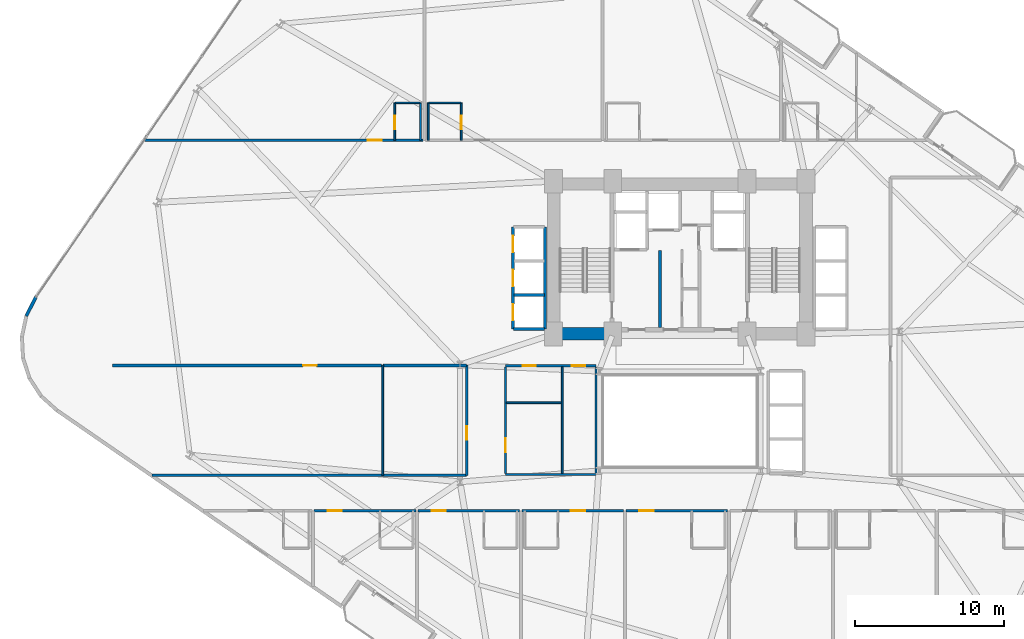
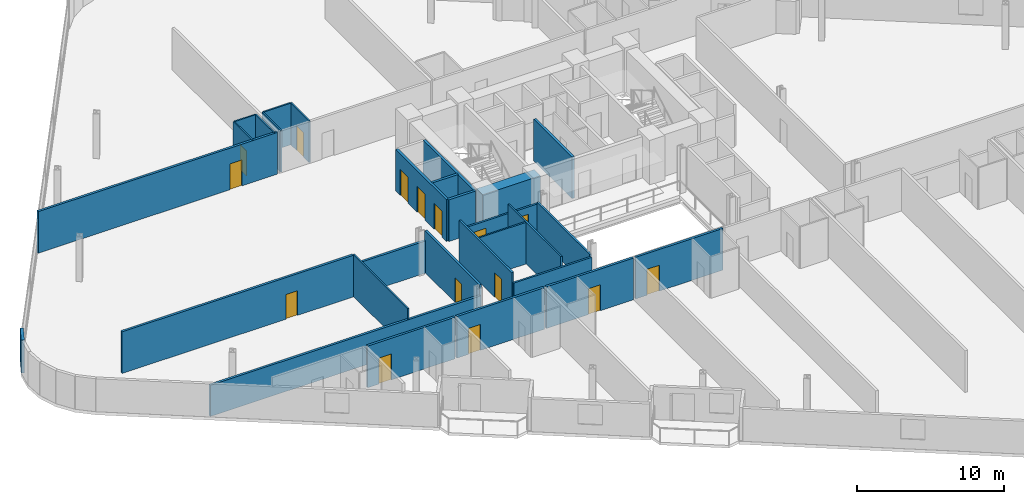
# One storey, part 18 of 25: 29 walls, 15 doors, 15 openings.
"""IFC4 building model written with IfcOpenShell, lengths in metres."""

from ifc_helpers import new_model, si_unit, direction, frame, frame_2d, origin, place, context, subcontext, project, spatial, rectangle, extrude, material, layer, layer_set, type_object, element, fill, save


model = new_model("IFC4")

# Units and contexts
model_context = context("Model", 3, precision=1e-05, world=origin(), true_north=direction((0.0, 1.0)))
body_context = subcontext(model_context, "Body", "Model", "MODEL_VIEW")
ifc_project = project(units=[si_unit("LENGTHUNIT", "METRE"), si_unit("AREAUNIT", "SQUARE_METRE"), si_unit("VOLUMEUNIT", "CUBIC_METRE"), si_unit("PLANEANGLEUNIT", "RADIAN"), si_unit("MASSUNIT", "GRAM", prefix="KILO")], contexts=[model_context])

# Site, building, storey
site_placement = place(None, origin())
site = spatial("IfcSite", under=ifc_project, at=site_placement, CompositionType="ELEMENT")
building_placement = place(site_placement, origin())
building = spatial("IfcBuilding", under=site, at=building_placement, Name="Varnelok Gate Tower", CompositionType="ELEMENT")
storey_placement = place(building_placement, frame((0.0, 0.0, 56.60009765625)))
storey = spatial("IfcBuildingStorey", under=building, at=storey_placement, Name="L13", CompositionType="ELEMENT", Elevation=56.60009765625)

# Wall
ifc_material_1 = material(Name="Concrete C45/55", Category="concrete")
ifc_layer_1 = layer(ifc_material_1, 0.219970703125)
ifc_layer_set_1 = layer_set([ifc_layer_1], Name="Concrete C45/55")
wall_type_1 = type_object("IfcWallType", Name="EW-BALC-220", PredefinedType="SOLIDWALL", material=ifc_layer_set_1)
wall_1_placement = place(storey_placement, frame((-4.158203125, 31.24462890625, 0.0), z_axis=(0.0, 0.0, 1.0), x_axis=(-0.454777156549, -0.890605264908, 0.0)))
element("IfcWall", 1, at=wall_1_placement, inside=storey, type_object=wall_type_1, Name="L13 Perimeter Facade Closure Wall 1", PredefinedType="SOLIDWALL", context=body_context, shape_type="SweptSolid", body=[
    extrude(rectangle(XDim=1.43017578125, YDim=0.219970703125, at=frame_2d((0.715087890625, 0.0))), origin(), (0.0, 0.0, 1.0), 2.72998046875),
])

# Wall, opening, door
ifc_material_2 = material(Name="Gypsum Plasterboard Acoustic Partition", Category="gypsum")
ifc_layer_2 = layer(ifc_material_2, 0.179931640625)
ifc_layer_set_2 = layer_set([ifc_layer_2], Name="Gypsum Plasterboard Acoustic Partition")
wall_type_2 = type_object("IfcWallType", Name="PW-CORR-180", PredefinedType="PARTITIONING", material=ifc_layer_set_2)
wall_2_placement = place(storey_placement, frame((14.580078125, 16.85009765625, 0.0), z_axis=(0.0, 0.0, 1.0), x_axis=(1.0, 0.0, 0.0)))
wall_2 = element("IfcWall", 2, at=wall_2_placement, inside=storey, type_object=wall_type_2, Name="Interior Partition", PredefinedType="PARTITIONING", context=body_context, shape_type="SweptSolid", body=[
    extrude(rectangle(XDim=6.83984375, YDim=0.179931640625, at=frame_2d((3.419921875, 0.0))), origin(), (0.0, 0.0, 1.0), 3.449951171875),
])
opening_1_placement = place(wall_2_placement, frame((0.89990234375, 0.0, 0.0)))
opening_1 = element("IfcOpeningElement", 3, at=opening_1_placement, cuts=wall_2, Name="Opening D-HT", PredefinedType="OPENING", context=body_context, shape_type="SweptSolid", body=[
    extrude(rectangle(XDim=0.949951171875, YDim=2.14990234375, at=frame_2d((0.47509765625, 1.074951171875))), frame((0.0, 0.099853515625, 0.0), z_axis=(0.0, -1.0, 0.0), x_axis=(1.0, 0.0, 0.0)), (0.0, 0.0, 1.0), 0.199951171875),
])
ifc_material_3 = material(Name="Engineered Hardwood Timber", Category="wood")
door_type_1 = type_object("IfcDoorType", Name="DR-HTL-950", OperationType="NOTDEFINED", PredefinedType="DOOR", material=ifc_material_3)
door_1_placement = place(opening_1_placement, origin())
door_1 = element("IfcDoor", 4, at=door_1_placement, inside=storey, type_object=door_type_1, Name="L13 Guest Room 02 Entrance Door", OperationType="SINGLE_SWING_LEFT", OverallHeight=2.14990234375, OverallWidth=0.949951171875, PredefinedType="DOOR", context=body_context, shape_type="SweptSolid", body=[
    extrude(rectangle(XDim=0.949951171875, YDim=2.14990234375, at=frame_2d((0.47509765625, 1.074951171875))), frame((0.0, 0.02490234375, 0.0), z_axis=(0.0, -1.0, 0.0), x_axis=(1.0, 0.0, 0.0)), (0.0, 0.0, 1.0), 0.050048828125),
])
fill(opening_1, door_1)

wall_3_placement = place(storey_placement, frame((21.580078125, 16.85009765625, 0.0), z_axis=(0.0, 0.0, 1.0), x_axis=(1.0, 0.0, 0.0)))
wall_3 = element("IfcWall", 5, at=wall_3_placement, inside=storey, type_object=wall_type_2, Name="Interior Partition", PredefinedType="PARTITIONING", context=body_context, shape_type="SweptSolid", body=[
    extrude(rectangle(XDim=6.83984375, YDim=0.179931640625, at=frame_2d((3.419921875, 0.0))), origin(), (0.0, 0.0, 1.0), 3.449951171875),
])
opening_2_placement = place(wall_3_placement, frame((0.89990234375, 0.0, 0.0)))
opening_2 = element("IfcOpeningElement", 6, at=opening_2_placement, cuts=wall_3, Name="Opening D-HT", PredefinedType="OPENING", context=body_context, shape_type="SweptSolid", body=[
    extrude(rectangle(XDim=0.949951171875, YDim=2.14990234375, at=frame_2d((0.47509765625, 1.074951171875))), frame((0.0, 0.099853515625, 0.0), z_axis=(0.0, -1.0, 0.0), x_axis=(1.0, 0.0, 0.0)), (0.0, 0.0, 1.0), 0.199951171875),
])
door_2_placement = place(opening_2_placement, origin())
door_2 = element("IfcDoor", 7, at=door_2_placement, inside=storey, type_object=door_type_1, Name="L13 Guest Room 03 Entrance Door", OperationType="SINGLE_SWING_RIGHT", OverallHeight=2.14990234375, OverallWidth=0.949951171875, PredefinedType="DOOR", context=body_context, shape_type="SweptSolid", body=[
    extrude(rectangle(XDim=0.949951171875, YDim=2.14990234375, at=frame_2d((0.47509765625, 1.074951171875))), frame((0.0, 0.02490234375, 0.0), z_axis=(0.0, -1.0, 0.0), x_axis=(1.0, 0.0, 0.0)), (0.0, 0.0, 1.0), 0.050048828125),
])
fill(opening_2, door_2)

wall_4_placement = place(storey_placement, frame((28.580078125, 16.85009765625, 0.0), z_axis=(0.0, 0.0, 1.0), x_axis=(1.0, 0.0, 0.0)))
wall_4 = element("IfcWall", 8, at=wall_4_placement, inside=storey, type_object=wall_type_2, Name="Interior Partition", PredefinedType="PARTITIONING", context=body_context, shape_type="SweptSolid", body=[
    extrude(rectangle(XDim=6.83984375, YDim=0.179931640625, at=frame_2d((3.419921875, 0.0))), origin(), (0.0, 0.0, 1.0), 3.449951171875),
])
opening_3_placement = place(wall_4_placement, frame((3.2900390625, 0.0, 0.0)))
opening_3 = element("IfcOpeningElement", 9, at=opening_3_placement, cuts=wall_4, Name="Opening D-HT", PredefinedType="OPENING", context=body_context, shape_type="SweptSolid", body=[
    extrude(rectangle(XDim=0.949951171875, YDim=2.14990234375, at=frame_2d((0.47509765625, 1.074951171875))), frame((0.0, 0.099853515625, 0.0), z_axis=(0.0, -1.0, 0.0), x_axis=(1.0, 0.0, 0.0)), (0.0, 0.0, 1.0), 0.199951171875),
])
door_3_placement = place(opening_3_placement, origin())
door_3 = element("IfcDoor", 10, at=door_3_placement, inside=storey, type_object=door_type_1, Name="L13 Guest Room 04 Entrance Door", OperationType="SINGLE_SWING_LEFT", OverallHeight=2.14990234375, OverallWidth=0.949951171875, PredefinedType="DOOR", context=body_context, shape_type="SweptSolid", body=[
    extrude(rectangle(XDim=0.949951171875, YDim=2.14990234375, at=frame_2d((0.47509765625, 1.074951171875))), frame((0.0, 0.02490234375, 0.0), z_axis=(0.0, -1.0, 0.0), x_axis=(1.0, 0.0, 0.0)), (0.0, 0.0, 1.0), 0.050048828125),
])
fill(opening_3, door_3)

wall_5_placement = place(storey_placement, frame((35.580078125, 16.85009765625, 0.0), z_axis=(0.0, 0.0, 1.0), x_axis=(1.0, 0.0, 0.0)))
wall_5 = element("IfcWall", 11, at=wall_5_placement, inside=storey, type_object=wall_type_2, Name="Interior Partition", PredefinedType="PARTITIONING", context=body_context, shape_type="SweptSolid", body=[
    extrude(rectangle(XDim=6.83984375, YDim=0.179931640625, at=frame_2d((3.419921875, 0.0))), origin(), (0.0, 0.0, 1.0), 3.449951171875),
])
opening_4_placement = place(wall_5_placement, frame((0.89990234375, 0.0, 0.0)))
opening_4 = element("IfcOpeningElement", 12, at=opening_4_placement, cuts=wall_5, Name="Opening D-HT", PredefinedType="OPENING", context=body_context, shape_type="SweptSolid", body=[
    extrude(rectangle(XDim=0.949951171875, YDim=2.14990234375, at=frame_2d((0.47509765625, 1.074951171875))), frame((0.0, 0.099853515625, 0.0), z_axis=(0.0, -1.0, 0.0), x_axis=(1.0, 0.0, 0.0)), (0.0, 0.0, 1.0), 0.199951171875),
])
door_4_placement = place(opening_4_placement, origin())
door_4 = element("IfcDoor", 13, at=door_4_placement, inside=storey, type_object=door_type_1, Name="L13 Guest Room 05 Entrance Door", OperationType="SINGLE_SWING_RIGHT", OverallHeight=2.14990234375, OverallWidth=0.949951171875, PredefinedType="DOOR", context=body_context, shape_type="SweptSolid", body=[
    extrude(rectangle(XDim=0.949951171875, YDim=2.14990234375, at=frame_2d((0.47509765625, 1.074951171875))), frame((0.0, 0.02490234375, 0.0), z_axis=(0.0, -1.0, 0.0), x_axis=(1.0, 0.0, 0.0)), (0.0, 0.0, 1.0), 0.050048828125),
])
fill(opening_4, door_4)

wall_6_placement = place(storey_placement, frame((3.17578125, 41.800048828125, 0.0), z_axis=(0.0, 0.0, 1.0), x_axis=(1.0, 0.0, 0.0)))
wall_6 = element("IfcWall", 14, at=wall_6_placement, inside=storey, type_object=wall_type_2, Name="Interior Partition", PredefinedType="PARTITIONING", context=body_context, shape_type="SweptSolid", body=[
    extrude(rectangle(XDim=18.744140625, YDim=0.179931640625, at=frame_2d((9.3720703125, 0.0))), origin(), (0.0, 0.0, 1.0), 3.449951171875),
])
opening_5_placement = place(wall_6_placement, frame((15.004150390625, 0.0, 0.0)))
opening_5 = element("IfcOpeningElement", 15, at=opening_5_placement, cuts=wall_6, Name="Opening D-HT", PredefinedType="OPENING", context=body_context, shape_type="SweptSolid", body=[
    extrude(rectangle(XDim=0.949951171875, YDim=2.14990234375, at=frame_2d((0.47509765625, 1.074951171875))), frame((0.0, 0.099853515625, 0.0), z_axis=(0.0, -1.0, 0.0), x_axis=(1.0, 0.0, 0.0)), (0.0, 0.0, 1.0), 0.199951171875),
])
door_5_placement = place(opening_5_placement, origin())
door_5 = element("IfcDoor", 16, at=door_5_placement, inside=storey, type_object=door_type_1, Name="L13 Guest Room 10 Entrance Door", OperationType="SINGLE_SWING_LEFT", OverallHeight=2.14990234375, OverallWidth=0.949951171875, PredefinedType="DOOR", context=body_context, shape_type="SweptSolid", body=[
    extrude(rectangle(XDim=0.949951171875, YDim=2.14990234375, at=frame_2d((0.47509765625, 1.074951171875))), frame((0.0, 0.02490234375, 0.0), z_axis=(0.0, -1.0, 0.0), x_axis=(1.0, 0.0, 0.0)), (0.0, 0.0, 1.0), 0.050048828125),
])
fill(opening_5, door_5)

wall_7_placement = place(storey_placement, frame((1.0, 26.639892578125, 0.0), z_axis=(0.0, 0.0, 1.0), x_axis=(1.0, 0.0, 0.0)))
wall_7 = element("IfcWall", 17, at=wall_7_placement, inside=storey, type_object=wall_type_2, Name="Interior Partition", PredefinedType="PARTITIONING", context=body_context, shape_type="SweptSolid", body=[
    extrude(rectangle(XDim=18.1201171875, YDim=0.179931640625, at=frame_2d((9.06005859375, 0.0))), origin(), (0.0, 0.0, 1.0), 3.449951171875),
])
opening_6_placement = place(wall_7_placement, frame((12.8291015625, 0.0, 0.0)))
opening_6 = element("IfcOpeningElement", 18, at=opening_6_placement, cuts=wall_7, Name="Opening D-I3", PredefinedType="OPENING", context=body_context, shape_type="SweptSolid", body=[
    extrude(rectangle(XDim=0.919921875, YDim=2.050048828125, at=frame_2d((0.4599609375, 1.02490234375))), frame((0.0, 0.099853515625, 0.0), z_axis=(0.0, -1.0, 0.0), x_axis=(1.0, 0.0, 0.0)), (0.0, 0.0, 1.0), 0.199951171875),
])
door_type_2 = type_object("IfcDoorType", Name="DR-INT-920", OperationType="NOTDEFINED", PredefinedType="DOOR", material=ifc_material_3)
door_6_placement = place(opening_6_placement, origin())
door_6 = element("IfcDoor", 19, at=door_6_placement, inside=storey, type_object=door_type_2, Name="L13 West Treatment Door", OperationType="SINGLE_SWING_RIGHT", OverallHeight=2.050048828125, OverallWidth=0.919921875, PredefinedType="DOOR", context=body_context, shape_type="SweptSolid", body=[
    extrude(rectangle(XDim=0.919921875, YDim=2.050048828125, at=frame_2d((0.4599609375, 1.02490234375))), frame((0.0, 0.02490234375, 0.0), z_axis=(0.0, -1.0, 0.0), x_axis=(1.0, 0.0, 0.0)), (0.0, 0.0, 1.0), 0.050048828125),
])
fill(opening_6, door_6)

wall_8_placement = place(storey_placement, frame((24.85009765625, 19.239990234375, 0.0), z_axis=(0.0, 0.0, 1.0), x_axis=(0.0, 1.0, 0.0)))
wall_8 = element("IfcWall", 20, at=wall_8_placement, inside=storey, type_object=wall_type_2, Name="Interior Partition", PredefinedType="PARTITIONING", context=body_context, shape_type="SweptSolid", body=[
    extrude(rectangle(XDim=7.419921875, YDim=0.179931640625, at=frame_2d((3.7099609375, 0.0))), origin(), (0.0, 0.0, 1.0), 3.449951171875),
])
opening_7_placement = place(wall_8_placement, frame((2.39990234375, 0.0, 0.0)))
opening_7 = element("IfcOpeningElement", 21, at=opening_7_placement, cuts=wall_8, Name="Opening D-I3", PredefinedType="OPENING", context=body_context, shape_type="SweptSolid", body=[
    extrude(rectangle(XDim=0.919921875, YDim=2.050048828125, at=frame_2d((0.4599609375, 1.02490234375))), frame((0.0, 0.099853515625, 0.0), z_axis=(0.0, -1.0, 0.0), x_axis=(1.0, 0.0, 0.0)), (0.0, 0.0, 1.0), 0.199951171875),
])
door_7_placement = place(opening_7_placement, origin())
door_7 = element("IfcDoor", 22, at=door_7_placement, inside=storey, type_object=door_type_2, Name="L13 West Playroom Door", OperationType="SINGLE_SWING_LEFT", OverallHeight=2.050048828125, OverallWidth=0.919921875, PredefinedType="DOOR", context=body_context, shape_type="SweptSolid", body=[
    extrude(rectangle(XDim=0.919921875, YDim=2.050048828125, at=frame_2d((0.4599609375, 1.02490234375))), frame((0.0, 0.02490234375, 0.0), z_axis=(0.0, -1.0, 0.0), x_axis=(1.0, 0.0, 0.0)), (0.0, 0.0, 1.0), 0.050048828125),
])
fill(opening_7, door_7)

# Walls
wall_9_placement = place(storey_placement, frame((3.644775390625, 19.239990234375, 0.0), z_axis=(0.0, 0.0, 1.0), x_axis=(1.0, 0.0, 0.0)))
element("IfcWall", 23, at=wall_9_placement, inside=storey, type_object=wall_type_2, Name="Interior Partition", PredefinedType="PARTITIONING", context=body_context, shape_type="SweptSolid", body=[
    extrude(rectangle(XDim=21.205322265625, YDim=0.179931640625, at=frame_2d((10.6025390625, 0.0))), origin(), (0.0, 0.0, 1.0), 2.579833984375),
])
wall_10_placement = place(storey_placement, frame((19.199951171875, 26.639892578125, 0.0), z_axis=(0.0, 0.0, 1.0), x_axis=(1.0, 0.0, 0.0)))
element("IfcWall", 24, at=wall_10_placement, inside=storey, type_object=wall_type_2, Name="Interior Partition", PredefinedType="PARTITIONING", context=body_context, shape_type="SweptSolid", body=[
    extrude(rectangle(XDim=5.650146484375, YDim=0.179931640625, at=frame_2d((2.8251953125, 0.0))), origin(), (0.0, 0.0, 1.0), 2.661865234375),
])
ifc_layer_3 = layer(ifc_material_2, 0.114990234375)
ifc_layer_set_3 = layer_set([ifc_layer_3], Name="Gypsum Plasterboard Acoustic Partition")
wall_type_3 = type_object("IfcWallType", Name="PW-ENS-125", PredefinedType="PARTITIONING", material=ifc_layer_set_3)
wall_11_placement = place(storey_placement, frame((20.050048828125, 44.320068359375, 0.0), z_axis=(0.0, 0.0, 1.0), x_axis=(1.0, 0.0, 0.0)))
element("IfcWall", 25, at=wall_11_placement, inside=storey, type_object=wall_type_3, Name="Interior Partition", PredefinedType="PARTITIONING", context=body_context, shape_type="SweptSolid", body=[
    extrude(rectangle(XDim=1.64990234375, YDim=0.114990234375, at=frame_2d((0.824951171875, 0.0))), origin(), (0.0, 0.0, 1.0), 3.449951171875),
])

# Wall, opening, door
wall_12_placement = place(storey_placement, frame((20.010009765625, 41.800048828125, 0.0), z_axis=(0.0, 0.0, 1.0), x_axis=(0.0, 1.0, 0.0)))
wall_12 = element("IfcWall", 26, at=wall_12_placement, inside=storey, type_object=wall_type_3, Name="Interior Partition", PredefinedType="PARTITIONING", context=body_context, shape_type="SweptSolid", body=[
    extrude(rectangle(XDim=2.52001953125, YDim=0.114990234375, at=frame_2d((1.260009765625, 0.0))), origin(), (0.0, 0.0, 1.0), 3.449951171875),
])
opening_8_placement = place(wall_12_placement, frame((0.760009765625, 0.0, 0.0)))
opening_8 = element("IfcOpeningElement", 27, at=opening_8_placement, cuts=wall_12, Name="Opening D-WC", PredefinedType="OPENING", context=body_context, shape_type="SweptSolid", body=[
    extrude(rectangle(XDim=0.89990234375, YDim=2.050048828125, at=frame_2d((0.449951171875, 1.02490234375))), frame((0.0, 0.0673828125, 0.0), z_axis=(0.0, -1.0, 0.0), x_axis=(1.0, 0.0, 0.0)), (0.0, 0.0, 1.0), 0.135009765625),
])
door_type_3 = type_object("IfcDoorType", Name="DR-BATH-900", OperationType="NOTDEFINED", PredefinedType="DOOR", material=ifc_material_3)
door_8_placement = place(opening_8_placement, origin())
door_8 = element("IfcDoor", 28, at=door_8_placement, inside=storey, type_object=door_type_3, Name="L13 North En-Suite 10 Door", OperationType="SINGLE_SWING_LEFT", OverallHeight=2.050048828125, OverallWidth=0.89990234375, PredefinedType="DOOR", context=body_context, shape_type="SweptSolid", body=[
    extrude(rectangle(XDim=0.89990234375, YDim=2.050048828125, at=frame_2d((0.449951171875, 1.02490234375))), frame((0.0, 0.02490234375, 0.0), z_axis=(0.0, -1.0, 0.0), x_axis=(1.0, 0.0, 0.0)), (0.0, 0.0, 1.0), 0.050048828125),
])
fill(opening_8, door_8)

# Walls
wall_13_placement = place(storey_placement, frame((21.739990234375, 41.800048828125, 0.0), z_axis=(0.0, 0.0, 1.0), x_axis=(0.0, 1.0, 0.0)))
element("IfcWall", 29, at=wall_13_placement, inside=storey, type_object=wall_type_3, Name="Interior Partition", PredefinedType="PARTITIONING", context=body_context, shape_type="SweptSolid", body=[
    extrude(rectangle(XDim=2.52001953125, YDim=0.114990234375, at=frame_2d((1.260009765625, 0.0))), origin(), (0.0, 0.0, 1.0), 3.449951171875),
])
wall_14_placement = place(storey_placement, frame((22.300048828125, 44.320068359375, 0.0), z_axis=(0.0, 0.0, 1.0), x_axis=(1.0, 0.0, 0.0)))
element("IfcWall", 30, at=wall_14_placement, inside=storey, type_object=wall_type_3, Name="Interior Partition", PredefinedType="PARTITIONING", context=body_context, shape_type="SweptSolid", body=[
    extrude(rectangle(XDim=2.14990234375, YDim=0.114990234375, at=frame_2d((1.074951171875, 0.0))), origin(), (0.0, 0.0, 1.0), 3.449951171875),
])

# Wall, opening, door
wall_15_placement = place(storey_placement, frame((24.489990234375, 41.800048828125, 0.0), z_axis=(0.0, 0.0, 1.0), x_axis=(0.0, 1.0, 0.0)))
wall_15 = element("IfcWall", 31, at=wall_15_placement, inside=storey, type_object=wall_type_3, Name="Interior Partition", PredefinedType="PARTITIONING", context=body_context, shape_type="SweptSolid", body=[
    extrude(rectangle(XDim=2.52001953125, YDim=0.114990234375, at=frame_2d((1.260009765625, 0.0))), origin(), (0.0, 0.0, 1.0), 3.449951171875),
])
opening_9_placement = place(wall_15_placement, frame((0.760009765625, 0.0, 0.0)))
opening_9 = element("IfcOpeningElement", 32, at=opening_9_placement, cuts=wall_15, Name="Opening D-WC", PredefinedType="OPENING", context=body_context, shape_type="SweptSolid", body=[
    extrude(rectangle(XDim=0.89990234375, YDim=2.050048828125, at=frame_2d((0.449951171875, 1.02490234375))), frame((0.0, 0.0673828125, 0.0), z_axis=(0.0, -1.0, 0.0), x_axis=(1.0, 0.0, 0.0)), (0.0, 0.0, 1.0), 0.135009765625),
])
door_9_placement = place(opening_9_placement, origin())
door_9 = element("IfcDoor", 33, at=door_9_placement, inside=storey, type_object=door_type_3, Name="L13 North En-Suite 11 Door", OperationType="SINGLE_SWING_RIGHT", OverallHeight=2.050048828125, OverallWidth=0.89990234375, PredefinedType="DOOR", context=body_context, shape_type="SweptSolid", body=[
    extrude(rectangle(XDim=0.89990234375, YDim=2.050048828125, at=frame_2d((0.449951171875, 1.02490234375))), frame((0.0, 0.02490234375, 0.0), z_axis=(0.0, -1.0, 0.0), x_axis=(1.0, 0.0, 0.0)), (0.0, 0.0, 1.0), 0.050048828125),
])
fill(opening_9, door_9)

# Walls
wall_16_placement = place(storey_placement, frame((22.260009765625, 41.800048828125, 0.0), z_axis=(0.0, 0.0, 1.0), x_axis=(0.0, 1.0, 0.0)))
element("IfcWall", 34, at=wall_16_placement, inside=storey, type_object=wall_type_3, Name="Interior Partition", PredefinedType="PARTITIONING", context=body_context, shape_type="SweptSolid", body=[
    extrude(rectangle(XDim=2.52001953125, YDim=0.114990234375, at=frame_2d((1.260009765625, 0.0))), origin(), (0.0, 0.0, 1.0), 3.449951171875),
])
ifc_layer_4 = layer(ifc_material_2, 0.125)
ifc_layer_set_4 = layer_set([ifc_layer_4], Name="Gypsum Plasterboard Acoustic Partition")
wall_type_4 = type_object("IfcWallType", Name="PW-PART-125", PredefinedType="PARTITIONING", material=ifc_layer_set_4)
wall_17_placement = place(storey_placement, frame((19.199951171875, 19.239990234375, 0.0), z_axis=(0.0, 0.0, 1.0), x_axis=(0.0, 1.0, 0.0)))
element("IfcWall", 35, at=wall_17_placement, inside=storey, type_object=wall_type_4, Name="Interior Partition", PredefinedType="PARTITIONING", context=body_context, shape_type="SweptSolid", body=[
    extrude(rectangle(XDim=7.419921875, YDim=0.125, at=frame_2d((3.7099609375, 0.0))), origin(), (0.0, 0.0, 1.0), 3.449951171875),
])
wall_18_placement = place(storey_placement, frame((31.280029296875, 19.3798828125, 0.0), z_axis=(0.0, 0.0, 1.0), x_axis=(0.0, 1.0, 0.0)))
element("IfcWall", 36, at=wall_18_placement, inside=storey, type_object=wall_type_4, Name="Interior Partition", PredefinedType="PARTITIONING", context=body_context, shape_type="SweptSolid", body=[
    extrude(rectangle(XDim=7.16015625, YDim=0.125, at=frame_2d((3.580078125, 0.0))), origin(), (0.0, 0.0, 1.0), 3.449951171875),
])
wall_19_placement = place(storey_placement, frame((27.52001953125, 24.1298828125, 0.0), z_axis=(0.0, 0.0, 1.0), x_axis=(1.0, 0.0, 0.0)))
element("IfcWall", 37, at=wall_19_placement, inside=storey, type_object=wall_type_4, Name="Interior Partition", PredefinedType="PARTITIONING", context=body_context, shape_type="SweptSolid", body=[
    extrude(rectangle(XDim=3.699951171875, YDim=0.125, at=frame_2d((1.85009765625, 0.0))), origin(), (0.0, 0.0, 1.0), 3.449951171875),
])
ifc_layer_5 = layer(ifc_material_2, 0.14990234375)
ifc_layer_set_5 = layer_set([ifc_layer_5], Name="Gypsum Plasterboard Acoustic Partition")
wall_type_5 = type_object("IfcWallType", Name="PW-PART-150", PredefinedType="PARTITIONING", material=ifc_layer_set_5)
wall_20_placement = place(storey_placement, frame((27.4599609375, 19.300048828125, 0.0), z_axis=(0.0, 0.0, 1.0), x_axis=(1.0, 0.0, 0.0)))
element("IfcWall", 38, at=wall_20_placement, inside=storey, type_object=wall_type_5, Name="Interior Partition", PredefinedType="PARTITIONING", context=body_context, shape_type="SweptSolid", body=[
    extrude(rectangle(XDim=6.10009765625, YDim=0.14990234375, at=frame_2d((3.050048828125, 0.0))), origin(), (0.0, 0.0, 1.0), 2.661865234375),
])

# Wall, openings, doors
wall_21_placement = place(storey_placement, frame((27.4599609375, 26.6201171875, 0.0), z_axis=(0.0, 0.0, 1.0), x_axis=(1.0, 0.0, 0.0)))
wall_21 = element("IfcWall", 39, at=wall_21_placement, inside=storey, type_object=wall_type_5, Name="Interior Partition", PredefinedType="PARTITIONING", context=body_context, shape_type="SweptSolid", body=[
    extrude(rectangle(XDim=6.10009765625, YDim=0.14990234375, at=frame_2d((3.050048828125, 0.0))), origin(), (0.0, 0.0, 1.0), 2.661865234375),
])
opening_10_placement = place(wall_21_placement, frame((1.14990234375, 0.0, 0.0)))
opening_10 = element("IfcOpeningElement", 40, at=opening_10_placement, cuts=wall_21, Name="Opening D-WC", PredefinedType="OPENING", context=body_context, shape_type="SweptSolid", body=[
    extrude(rectangle(XDim=0.89990234375, YDim=2.050048828125, at=frame_2d((0.449951171875, 1.02490234375))), frame((0.0, 0.0849609375, 0.0), z_axis=(0.0, -1.0, 0.0), x_axis=(1.0, 0.0, 0.0)), (0.0, 0.0, 1.0), 0.169921875),
])
opening_11_placement = place(wall_21_placement, frame((4.449951171875, 0.0, 0.0)))
opening_11 = element("IfcOpeningElement", 41, at=opening_11_placement, cuts=wall_21, Name="Opening D-I3", PredefinedType="OPENING", context=body_context, shape_type="SweptSolid", body=[
    extrude(rectangle(XDim=0.919921875, YDim=2.050048828125, at=frame_2d((0.4599609375, 1.02490234375))), frame((0.0, 0.0849609375, 0.0), z_axis=(0.0, -1.0, 0.0), x_axis=(1.0, 0.0, 0.0)), (0.0, 0.0, 1.0), 0.169921875),
])
door_10_placement = place(opening_10_placement, origin())
door_10 = element("IfcDoor", 42, at=door_10_placement, inside=storey, type_object=door_type_3, Name="L13 Accessible Floor WC Door", OperationType="SINGLE_SWING_LEFT", OverallHeight=2.050048828125, OverallWidth=0.89990234375, PredefinedType="DOOR", context=body_context, shape_type="SweptSolid", body=[
    extrude(rectangle(XDim=0.89990234375, YDim=2.050048828125, at=frame_2d((0.449951171875, 1.02490234375))), frame((0.0, 0.02490234375, 0.0), z_axis=(0.0, -1.0, 0.0), x_axis=(1.0, 0.0, 0.0)), (0.0, 0.0, 1.0), 0.050048828125),
])
fill(opening_10, door_10)
door_11_placement = place(opening_11_placement, origin())
door_11 = element("IfcDoor", 43, at=door_11_placement, inside=storey, type_object=door_type_2, Name="L13 Valet Pantry Door", OperationType="SINGLE_SWING_RIGHT", OverallHeight=2.050048828125, OverallWidth=0.919921875, PredefinedType="DOOR", context=body_context, shape_type="SweptSolid", body=[
    extrude(rectangle(XDim=0.919921875, YDim=2.050048828125, at=frame_2d((0.4599609375, 1.02490234375))), frame((0.0, 0.02490234375, 0.0), z_axis=(0.0, -1.0, 0.0), x_axis=(1.0, 0.0, 0.0)), (0.0, 0.0, 1.0), 0.050048828125),
])
fill(opening_11, door_11)

# Wall, opening, door
wall_22_placement = place(storey_placement, frame((27.4599609375, 19.3798828125, 0.0), z_axis=(0.0, 0.0, 1.0), x_axis=(0.0, 1.0, 0.0)))
wall_22 = element("IfcWall", 44, at=wall_22_placement, inside=storey, type_object=wall_type_5, Name="Interior Partition", PredefinedType="PARTITIONING", context=body_context, shape_type="SweptSolid", body=[
    extrude(rectangle(XDim=7.16015625, YDim=0.14990234375, at=frame_2d((3.580078125, 0.0))), origin(), (0.0, 0.0, 1.0), 3.449951171875),
])
opening_12_placement = place(wall_22_placement, frame((1.39990234375, 0.0, 0.0)))
opening_12 = element("IfcOpeningElement", 45, at=opening_12_placement, cuts=wall_22, Name="Opening D-I2", PredefinedType="OPENING", context=body_context, shape_type="SweptSolid", body=[
    extrude(rectangle(XDim=0.949951171875, YDim=2.050048828125, at=frame_2d((0.47509765625, 1.02490234375))), frame((0.0, 0.0849609375, 0.0), z_axis=(0.0, -1.0, 0.0), x_axis=(1.0, 0.0, 0.0)), (0.0, 0.0, 1.0), 0.169921875),
])
door_type_4 = type_object("IfcDoorType", Name="DR-INT-950", OperationType="NOTDEFINED", PredefinedType="DOOR", material=ifc_material_3)
door_12_placement = place(opening_12_placement, origin())
door_12 = element("IfcDoor", 46, at=door_12_placement, inside=storey, type_object=door_type_4, Name="L13 Hotel Fitness Studio Door", OperationType="SINGLE_SWING_LEFT", OverallHeight=2.050048828125, OverallWidth=0.949951171875, PredefinedType="DOOR", context=body_context, shape_type="SweptSolid", body=[
    extrude(rectangle(XDim=0.949951171875, YDim=2.050048828125, at=frame_2d((0.47509765625, 1.02490234375))), frame((0.0, 0.02490234375, 0.0), z_axis=(0.0, -1.0, 0.0), x_axis=(1.0, 0.0, 0.0)), (0.0, 0.0, 1.0), 0.050048828125),
])
fill(opening_12, door_12)

# Walls
wall_23_placement = place(storey_placement, frame((33.56005859375, 19.3798828125, 0.0), z_axis=(0.0, 0.0, 1.0), x_axis=(0.0, 1.0, 0.0)))
element("IfcWall", 47, at=wall_23_placement, inside=storey, type_object=wall_type_5, Name="Interior Partition", PredefinedType="PARTITIONING", context=body_context, shape_type="SweptSolid", body=[
    extrude(rectangle(XDim=7.16015625, YDim=0.14990234375, at=frame_2d((3.580078125, 0.0))), origin(), (0.0, 0.0, 1.0), 2.823974609375),
])
ifc_material_4 = material(Name="Concrete C35/45", Category="concrete")
ifc_layer_6 = layer(ifc_material_4, 0.199951171875)
ifc_layer_set_6 = layer_set([ifc_layer_6], Name="Concrete C35/45")
wall_type_6 = type_object("IfcWallType", Name="PW-SHAFT-200", PredefinedType="PARTITIONING", material=ifc_layer_set_6)
wall_24_placement = place(storey_placement, frame((37.860107421875, 29.199951171875, 0.0), z_axis=(0.0, 0.0, 1.0), x_axis=(0.0, 1.0, 0.0)))
element("IfcWall", 48, at=wall_24_placement, inside=storey, type_object=wall_type_6, Name="L13 West FF Lobby Rated Wall", PredefinedType="PARTITIONING", context=body_context, shape_type="SweptSolid", body=[
    extrude(rectangle(XDim=5.179931640625, YDim=0.199951171875, at=frame_2d((2.58984375, 0.0))), origin(), (0.0, 0.0, 1.0), 3.449951171875),
])
wall_25_placement = place(storey_placement, frame((28.02001953125, 31.375, 0.0), z_axis=(0.0, 0.0, 1.0), x_axis=(1.0, 0.0, 0.0)))
element("IfcWall", 49, at=wall_25_placement, inside=storey, type_object=wall_type_6, Name="L13 PL1 Divider", PredefinedType="PARTITIONING", context=body_context, shape_type="SweptSolid", body=[
    extrude(rectangle(XDim=2.06005859375, YDim=0.199951171875, at=frame_2d((1.030029296875, 0.0))), origin(), (0.0, 0.0, 1.0), 3.449951171875),
])
wall_26_placement = place(storey_placement, frame((28.0, 29.080078125, 0.0), z_axis=(0.0, 0.0, 1.0), x_axis=(1.0, 0.0, 0.0)))
element("IfcWall", 50, at=wall_26_placement, inside=storey, type_object=wall_type_6, Name="L13 PL Bank South Wall", PredefinedType="PARTITIONING", context=body_context, shape_type="SweptSolid", body=[
    extrude(rectangle(XDim=2.10009765625, YDim=0.199951171875, at=frame_2d((1.050048828125, 0.0))), origin(), (0.0, 0.0, 1.0), 3.449951171875),
])
wall_27_placement = place(storey_placement, frame((30.1201171875, 29.080078125, 0.0), z_axis=(0.0, 0.0, 1.0), x_axis=(0.0, 1.0, 0.0)))
element("IfcWall", 51, at=wall_27_placement, inside=storey, type_object=wall_type_6, Name="L13 PL Bank Back Wall", PredefinedType="PARTITIONING", context=body_context, shape_type="SweptSolid", body=[
    extrude(rectangle(XDim=6.889892578125, YDim=0.199951171875, at=frame_2d((3.44482421875, 0.0))), origin(), (0.0, 0.0, 1.0), 3.449951171875),
])

# Wall, openings, doors
wall_28_placement = place(storey_placement, frame((27.9599609375, 29.080078125, 0.0), z_axis=(0.0, 0.0, 1.0), x_axis=(0.0, 1.0, 0.0)))
wall_28 = element("IfcWall", 52, at=wall_28_placement, inside=storey, type_object=wall_type_6, Name="L13 PL Bank Front Wall", PredefinedType="PARTITIONING", context=body_context, shape_type="SweptSolid", body=[
    extrude(rectangle(XDim=6.889892578125, YDim=0.199951171875, at=frame_2d((3.44482421875, 0.0))), origin(), (0.0, 0.0, 1.0), 3.449951171875),
])
opening_13_placement = place(wall_28_placement, frame((0.590087890625, 0.0, 0.0)))
opening_13 = element("IfcOpeningElement", 53, at=opening_13_placement, cuts=wall_28, Name="Opening LD-PL1", PredefinedType="OPENING", context=body_context, shape_type="SweptSolid", body=[
    extrude(rectangle(XDim=1.10009765625, YDim=2.14990234375, at=frame_2d((0.550048828125, 1.074951171875))), frame((0.0, 0.10986328125, 0.0), z_axis=(0.0, -1.0, 0.0), x_axis=(1.0, 0.0, 0.0)), (0.0, 0.0, 1.0), 0.219970703125),
])
opening_14_placement = place(wall_28_placement, frame((2.889892578125, 0.0, 0.0)))
opening_14 = element("IfcOpeningElement", 54, at=opening_14_placement, cuts=wall_28, Name="Opening LD-PL2", PredefinedType="OPENING", context=body_context, shape_type="SweptSolid", body=[
    extrude(rectangle(XDim=1.10009765625, YDim=2.14990234375, at=frame_2d((0.550048828125, 1.074951171875))), frame((0.0, 0.10986328125, 0.0), z_axis=(0.0, -1.0, 0.0), x_axis=(1.0, 0.0, 0.0)), (0.0, 0.0, 1.0), 0.219970703125),
])
opening_15_placement = place(wall_28_placement, frame((5.18994140625, 0.0, 0.0)))
opening_15 = element("IfcOpeningElement", 55, at=opening_15_placement, cuts=wall_28, Name="Opening LD-PL3", PredefinedType="OPENING", context=body_context, shape_type="SweptSolid", body=[
    extrude(rectangle(XDim=1.10009765625, YDim=2.14990234375, at=frame_2d((0.550048828125, 1.074951171875))), frame((0.0, 0.10986328125, 0.0), z_axis=(0.0, -1.0, 0.0), x_axis=(1.0, 0.0, 0.0)), (0.0, 0.0, 1.0), 0.219970703125),
])
ifc_material_5 = material(Name="Galvanized Steel Grade S350GD", Category="steel")
door_type_5 = type_object("IfcDoorType", Name="DR-LIFT-PAX1100", OperationType="SLIDING_TO_LEFT", PredefinedType="DOOR", material=ifc_material_5)
door_13_placement = place(opening_13_placement, origin())
door_13 = element("IfcDoor", 56, at=door_13_placement, inside=storey, type_object=door_type_5, Name="L13 Passenger Lift Landing Door LD-PL1", OperationType="SLIDING_TO_LEFT", OverallHeight=2.14990234375, OverallWidth=1.10009765625, PredefinedType="DOOR", context=body_context, shape_type="SweptSolid", body=[
    extrude(rectangle(XDim=1.10009765625, YDim=2.14990234375, at=frame_2d((0.550048828125, 1.074951171875))), frame((0.0, 0.02490234375, 0.0), z_axis=(0.0, -1.0, 0.0), x_axis=(1.0, 0.0, 0.0)), (0.0, 0.0, 1.0), 0.050048828125),
])
fill(opening_13, door_13)
door_14_placement = place(opening_14_placement, origin())
door_14 = element("IfcDoor", 57, at=door_14_placement, inside=storey, type_object=door_type_5, Name="L13 Passenger Lift Landing Door LD-PL2", OperationType="SLIDING_TO_LEFT", OverallHeight=2.14990234375, OverallWidth=1.10009765625, PredefinedType="DOOR", context=body_context, shape_type="SweptSolid", body=[
    extrude(rectangle(XDim=1.10009765625, YDim=2.14990234375, at=frame_2d((0.550048828125, 1.074951171875))), frame((0.0, 0.02490234375, 0.0), z_axis=(0.0, -1.0, 0.0), x_axis=(1.0, 0.0, 0.0)), (0.0, 0.0, 1.0), 0.050048828125),
])
fill(opening_14, door_14)
door_15_placement = place(opening_15_placement, origin())
door_15 = element("IfcDoor", 58, at=door_15_placement, inside=storey, type_object=door_type_5, Name="L13 Passenger Lift Landing Door LD-PL3", OperationType="SLIDING_TO_LEFT", OverallHeight=2.14990234375, OverallWidth=1.10009765625, PredefinedType="DOOR", context=body_context, shape_type="SweptSolid", body=[
    extrude(rectangle(XDim=1.10009765625, YDim=2.14990234375, at=frame_2d((0.550048828125, 1.074951171875))), frame((0.0, 0.02490234375, 0.0), z_axis=(0.0, -1.0, 0.0), x_axis=(1.0, 0.0, 0.0)), (0.0, 0.0, 1.0), 0.050048828125),
])
fill(opening_15, door_15)

# Wall
ifc_material_6 = material(Name="Concrete C70/85", Category="concrete")
ifc_layer_7 = layer(ifc_material_6, 0.85009765625)
ifc_layer_set_7 = layer_set([ifc_layer_7], Name="Concrete C70/85")
wall_type_7 = type_object("IfcWallType", Name="SW-CORE-850", PredefinedType="SHEAR", material=ifc_layer_set_7)
wall_29_placement = place(storey_placement, frame((30.280029296875, 28.77490234375, 0.0), z_axis=(0.0, 0.0, 1.0), x_axis=(1.0, 0.0, 0.0)))
element("IfcWall", 59, at=wall_29_placement, inside=storey, type_object=wall_type_7, Name="L13 Rear Core South-West Shear Wall", PredefinedType="SHEAR", context=body_context, shape_type="SweptSolid", body=[
    extrude(rectangle(XDim=4.52001953125, YDim=0.85009765625, at=frame_2d((2.260009765625, 0.0))), origin(), (0.0, 0.0, 1.0), 3.449951171875),
])

save(model, "model.ifc")
